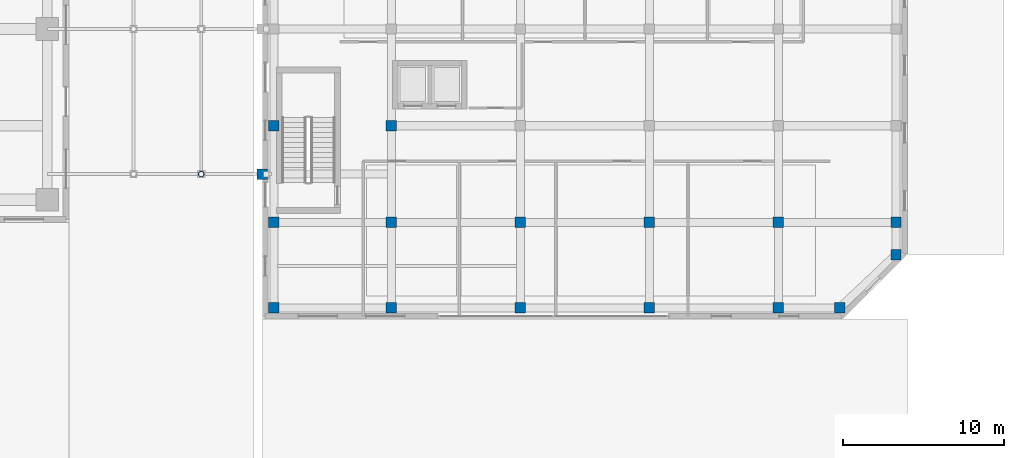
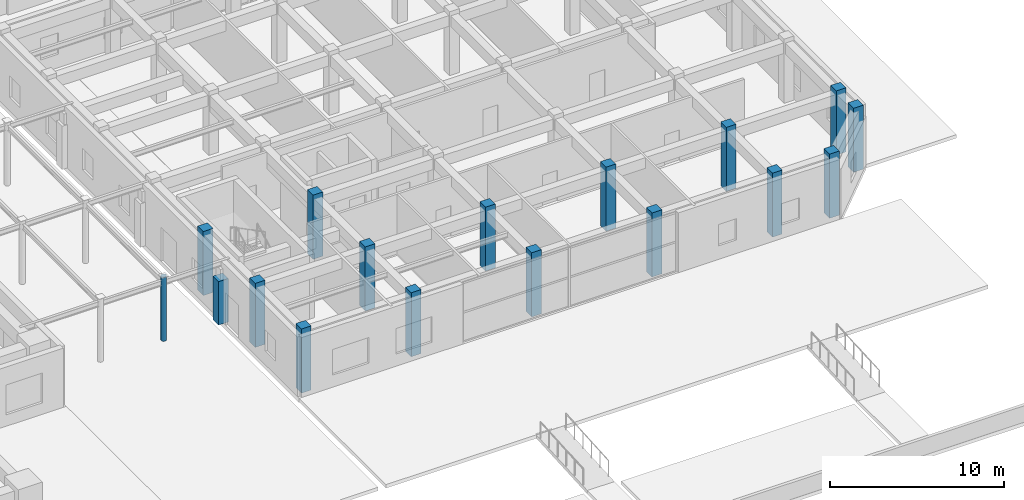
# One storey, part 5 of 39: 17 columns.
"""IFC4 building model written with IfcOpenShell, lengths in metres."""

from ifc_helpers import new_model, si_unit, direction, frame, origin, origin_2d, place, context, subcontext, project, spatial, rectangle, hollow_circle, extrude, source, transform, mapped, material, material_profile, profile_set, type_object, element, save


model = new_model("IFC4")

# Units and contexts
model_context = context("Model", 3, precision=1e-05, world=origin(), true_north=direction((0.0, 1.0)))
body_context = subcontext(model_context, "Body", "Model", "MODEL_VIEW")
ifc_project = project(units=[si_unit("LENGTHUNIT", "METRE"), si_unit("AREAUNIT", "SQUARE_METRE"), si_unit("VOLUMEUNIT", "CUBIC_METRE"), si_unit("PLANEANGLEUNIT", "RADIAN"), si_unit("MASSUNIT", "GRAM", prefix="KILO")], contexts=[model_context])

# Site, building, storey
site_placement = place(None, origin())
site = spatial("IfcSite", under=ifc_project, at=site_placement, CompositionType="ELEMENT")
building_placement = place(site_placement, origin())
building = spatial("IfcBuilding", under=site, at=building_placement, Name="Khoralis Quay Care Tower", CompositionType="ELEMENT")
storey_placement = place(building_placement, origin())
storey = spatial("IfcBuildingStorey", under=building, at=storey_placement, Name="L00", CompositionType="ELEMENT", Elevation=0.0)

# Columns
ifc_material_1 = material(Name="Steel S355", Category="steel")
ifc_material_profile_1 = material_profile(ifc_material_1, hollow_circle(Radius=0.177734375, WallThickness=0.01611328125, at=origin_2d()), Name="Steel S355")
ifc_profile_set_1 = profile_set([ifc_material_profile_1], Name="Steel S355")
column_type_1 = type_object("IfcColumnType", Name="COL-CN-CHS355", PredefinedType="COLUMN", material=ifc_profile_set_1)
shared_shape_1 = source(origin(), body_context, "Body", "SweptSolid", [
    extrude(hollow_circle(Radius=0.177734375, WallThickness=0.01611328125, at=origin_2d()), origin(), (0.0, 0.0, 1.0), 4.5),
])
column_1_placement = place(storey_placement, frame((64.199951171875, 15.0, 0.0), z_axis=(0.0, 0.0, 1.0), x_axis=(1.0, 0.0, 0.0)))
element("IfcColumn", 1, at=column_1_placement, inside=storey, type_object=column_type_1, Name="COL-L00-CAN-04", PredefinedType="COLUMN", context=body_context, shape_type="MappedRepresentation", body=[
    mapped(shared_shape_1, transform((0.0, 0.0, 0.0), scale=1.0)),
])
ifc_material_2 = material(Name="Concrete C40/50", Category="concrete")
ifc_material_profile_2 = material_profile(ifc_material_2, rectangle(XDim=0.64990234375, YDim=0.64990234375, at=origin_2d()), Name="Concrete C40/50")
ifc_profile_set_2 = profile_set([ifc_material_profile_2], Name="Concrete C40/50")
column_type_2 = type_object("IfcColumnType", Name="COL-SC650", PredefinedType="COLUMN", material=ifc_profile_set_2)
shared_shape_2 = source(origin(), body_context, "Body", "SweptSolid", [
    extrude(rectangle(XDim=0.64990234375, YDim=0.64990234375, at=origin_2d()), origin(), (0.0, 0.0, 1.0), 3.050048828125),
])
column_2_placement = place(storey_placement, frame((67.97998046875, 15.0, 0.0), z_axis=(0.0, 0.0, 1.0), x_axis=(1.0, 0.0, 0.0)))
element("IfcColumn", 2, at=column_2_placement, inside=storey, type_object=column_type_2, Name="Movement Joint Corbel Support Pier 1", PredefinedType="COLUMN", context=body_context, shape_type="MappedRepresentation", body=[
    mapped(shared_shape_2, transform((0.0, 0.0, 0.0), scale=1.0)),
])
shared_shape_3 = source(origin(), body_context, "Body", "SweptSolid", [
    extrude(rectangle(XDim=0.64990234375, YDim=0.64990234375, at=origin_2d()), origin(), (0.0, 0.0, 1.0), 4.5),
])
for number, where, z_axis, x_axis, name in (
    (3, (68.699951171875, 6.699951171875, 0.0), (0.0, 0.0, 1.0), (1.0, 0.0, 0.0), "COL-SCH-L00-01"),
    (4, (68.699951171875, 12.0, 0.0), (0.0, 0.0, 1.0), (1.0, 0.0, 0.0), "COL-SCH-L00-02"),
    (5, (68.699951171875, 18.0, 0.0), (0.0, 0.0, 1.0), (1.0, 0.0, 0.0), "COL-SCH-L00-03"),
    (6, (76.0, 6.699951171875, 0.0), (0.0, 0.0, 1.0), (1.0, 0.0, 0.0), "COL-SCH-L00-08"),
    (7, (76.0, 12.0, 0.0), (0.0, 0.0, 1.0), (1.0, 0.0, 0.0), "COL-SCH-L00-09"),
    (8, (76.0, 18.0, 0.0), (0.0, 0.0, 1.0), (1.0, 0.0, 0.0), "COL-SCH-L00-10"),
    (9, (84.0, 6.699951171875, 0.0), (0.0, 0.0, 1.0), (1.0, 0.0, 0.0), "COL-SCH-L00-15"),
    (10, (84.0, 12.0, 0.0), (0.0, 0.0, 1.0), (1.0, 0.0, 0.0), "COL-SCH-L00-16"),
    (11, (92.0, 6.699951171875, 0.0), (0.0, 0.0, 1.0), (1.0, 0.0, 0.0), "COL-SCH-L00-22"),
    (12, (92.0, 12.0, 0.0), (0.0, 0.0, 1.0), (1.0, 0.0, 0.0), "COL-SCH-L00-23"),
    (13, (100.0, 6.699951171875, 0.0), (0.0, 0.0, 1.0), (1.0, 0.0, 0.0), "COL-SCH-L00-29"),
    (14, (100.0, 12.0, 0.0), (0.0, 0.0, 1.0), (1.0, 0.0, 0.0), "COL-SCH-L00-30"),
    (15, (107.300048828125, 12.0, 0.0), (0.0, 0.0, 1.0), (1.0, 0.0, 0.0), "COL-SCH-L00-36"),
    (16, (103.800048828125, 6.699951171875, 0.0), (0.0, 0.0, 1.0), (1.0, 0.0, 0.0), "COL-SCH-L00-42"),
    (17, (107.300048828125, 10.0, 0.0), (0.0, 0.0, 1.0), (1.0, 0.0, 0.0), "COL-SCH-L00-43"),
):
    element("IfcColumn", number, at=place(storey_placement, frame(where, z_axis=z_axis, x_axis=x_axis)), inside=storey, type_object=column_type_2, Name=name, PredefinedType="COLUMN", context=body_context, shape_type="MappedRepresentation", body=[
        mapped(shared_shape_3, transform((0.0, 0.0, 0.0), scale=1.0)),
    ])

save(model, "model.ifc")
